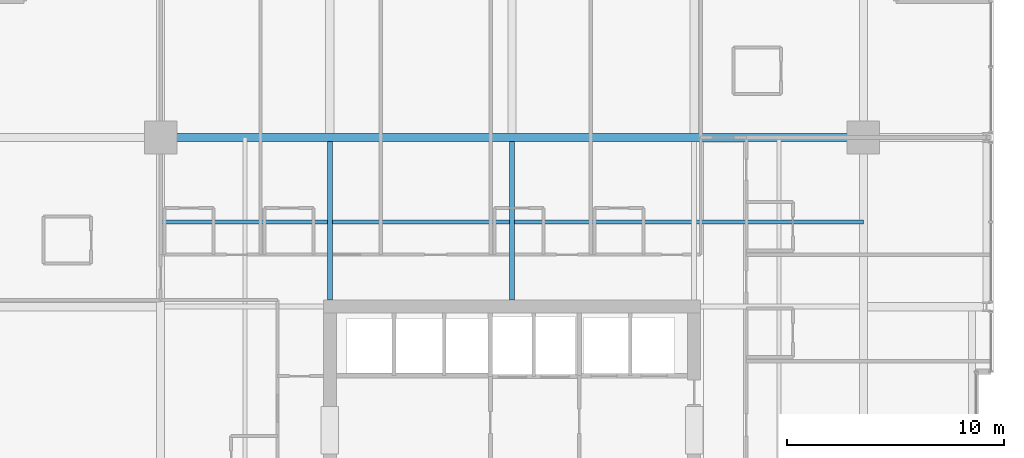
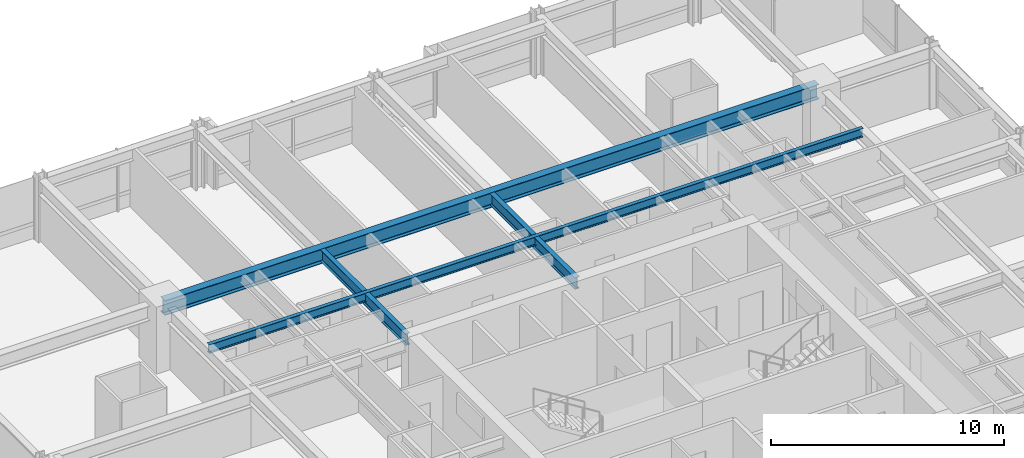
# One storey, part 19 of 34: 4 beams.
"""IFC4 building model written with IfcOpenShell, lengths in metres."""

import ifcopenshell
import ifcopenshell.guid

model = None  # the IFC model being written
_history = None  # IfcOwnerHistory: only IFC2X3 demands one
_inside = {}  # id of a spatial element -> (the spatial element, [elements in it])
_under = {}  # id of a project, library or spatial element -> (it, [spatial elements below it])
_declared = {}  # id of a project -> (the project, [libraries it declares])
_typed = {}  # id of a type object -> (the type object, [elements of that type])
_made_of = {}  # id of a material, layer set ... -> (it, [elements and type objects made of it])


def new_model(schema):
    """Start an empty IFC model of exactly this schema.

    Asked for "IFC4X3", IfcOpenShell would pick the latest addendum, in which some entities
    have other attributes; the version numbers below select the first issue.
    IFC2X3 requires an IfcOwnerHistory on every rooted entity: one is made here for all.
    """
    global model, _history
    if schema == "IFC4X3":
        model = ifcopenshell.file(schema_version=(4, 3, 0, 0))
    else:
        model = ifcopenshell.file(schema=schema)
    _inside.clear()
    _under.clear()
    _declared.clear()
    _typed.clear()
    _made_of.clear()
    _history = None
    if model.schema == "IFC2X3":
        org = make("IfcOrganization", Name="unknown")
        user = make(
            "IfcPersonAndOrganization",
            ThePerson=make("IfcPerson", FamilyName="unknown"),
            TheOrganization=org,
        )
        app = make(
            "IfcApplication",
            ApplicationDeveloper=org,
            Version="unknown",
            ApplicationFullName="unknown",
            ApplicationIdentifier="unknown",
        )
        _history = make(
            "IfcOwnerHistory",
            OwningUser=user,
            OwningApplication=app,
            ChangeAction="ADDED",
            CreationDate=0,
        )
    return model


def make(cls, **values):
    """One entity of the class cls with the attributes given. An attribute that is None is left unset."""
    return model.create_entity(
        cls, **{name: value for name, value in values.items() if value is not None}
    )


def rooted(cls, **values):
    """An entity with a GlobalId (a new one), such as an element, a storey or a relation."""
    return make(cls, GlobalId=ifcopenshell.guid.new(), OwnerHistory=_history, **values)


def si_unit(unit_type, name, prefix=None):
    """IfcSIUnit, for example si_unit("LENGTHUNIT", "METRE", prefix="MILLI")."""
    return make("IfcSIUnit", UnitType=unit_type, Prefix=prefix, Name=name)


def assignment(units):
    """IfcUnitAssignment: the units of a project."""
    return None if units is None else make("IfcUnitAssignment", Units=units)


def point(xyz):
    """IfcCartesianPoint."""
    return None if xyz is None else make("IfcCartesianPoint", Coordinates=xyz)


def direction(xyz):
    """IfcDirection."""
    return None if xyz is None else make("IfcDirection", DirectionRatios=xyz)


def frame(location, z_axis=None, x_axis=None):
    """IfcAxis2Placement3D, a coordinate frame: its origin and axes. An axis left out is left unset."""
    return make(
        "IfcAxis2Placement3D",
        Location=point(location),
        Axis=direction(z_axis),
        RefDirection=direction(x_axis),
    )


def frame_2d(location, x_axis=None):
    """IfcAxis2Placement2D, a coordinate frame in the plane: its origin and x axis."""
    return make(
        "IfcAxis2Placement2D", Location=point(location), RefDirection=direction(x_axis)
    )


def origin():
    """The frame at (0, 0, 0) with its axes left unset."""
    return frame((0.0, 0.0, 0.0))


def origin_2d():
    """The frame at (0, 0) in the plane with its x axis left unset."""
    return frame_2d((0.0, 0.0))


def place(relative_to, where):
    """IfcLocalPlacement: puts the frame where relative to a parent placement (None: the world)."""
    return make(
        "IfcLocalPlacement", PlacementRelTo=relative_to, RelativePlacement=where
    )


def context(
    kind, dimensions, precision=None, world=None, true_north=None, identifier=None
):
    """IfcGeometricRepresentationContext, for example the 3D "Model" context."""
    return make(
        "IfcGeometricRepresentationContext",
        ContextIdentifier=identifier,
        ContextType=kind,
        CoordinateSpaceDimension=dimensions,
        Precision=precision,
        WorldCoordinateSystem=world,
        TrueNorth=true_north,
    )


def subcontext(parent, identifier, kind, view, scale=None):
    """IfcGeometricRepresentationSubContext, for example "Body" below "Model"."""
    return make(
        "IfcGeometricRepresentationSubContext",
        ContextIdentifier=identifier,
        ContextType=kind,
        ParentContext=parent,
        TargetScale=scale,
        TargetView=view,
    )


def project(units=None, contexts=None):
    """IfcProject with its units and contexts."""
    return rooted(
        "IfcProject",
        Name="project",
        RepresentationContexts=contexts,
        UnitsInContext=assignment(units),
    )


def spatial(cls, under=None, at=None, **own):
    """A site, building, storey or space (cls), placed at a placement, below another one or the project."""
    s = rooted(cls, ObjectPlacement=at, **own)
    if under is not None:
        _under.setdefault(under.id(), (under, []))[1].append(s)
    return s


def profile(cls, at=None, kind="AREA", **sizes):
    """A parametric profile (cls). Its sizes go by their IFC names, for example OverallWidth=200.0."""
    return make(cls, ProfileType=kind, Position=at, **sizes)


def i_section(**sizes):
    """IfcIShapeProfileDef."""
    return profile("IfcIShapeProfileDef", **sizes)


def extrude(swept, where, along, depth):
    """IfcExtrudedAreaSolid: the profile swept, set in the frame where, extruded along a direction by depth."""
    return make(
        "IfcExtrudedAreaSolid",
        SweptArea=swept,
        Position=where,
        ExtrudedDirection=direction(along),
        Depth=depth,
    )


def shape(context_of_items, identifier, shape_type, items):
    """IfcShapeRepresentation: the items that make up one representation, for example the "Body"."""
    return make(
        "IfcShapeRepresentation",
        ContextOfItems=context_of_items,
        RepresentationIdentifier=identifier,
        RepresentationType=shape_type,
        Items=items,
    )


def material(Name=None, Category=None):
    """IfcMaterial."""
    return make("IfcMaterial", Name=Name, Category=Category)


def material_profile(
    of_material, cross_section, Name=None, Category=None, Priority=None
):
    """IfcMaterialProfile: a cross section and its material."""
    return make(
        "IfcMaterialProfile",
        Name=Name,
        Material=of_material,
        Profile=cross_section,
        Priority=Priority,
        Category=Category,
    )


def profile_set(profiles, Name=None, composite=None):
    """IfcMaterialProfileSet."""
    return make(
        "IfcMaterialProfileSet",
        Name=Name,
        MaterialProfiles=profiles,
        CompositeProfile=composite,
    )


def made_of(thing, what):
    """Note that an element or type object is made of a material, layer set ...; save() writes the relation."""
    if what is not None:
        _made_of.setdefault(what.id(), (what, []))[1].append(thing)
    return thing


def type_object(cls, material=None, **own):
    """A type object (cls), such as IfcWallType, which elements share."""
    return made_of(rooted(cls, **own), material)


def element(
    cls,
    number,
    at=None,
    inside=None,
    cuts=None,
    type_object=None,
    material=None,
    context=None,
    identifier="Body",
    shape_type=None,
    held_by="IfcProductDefinitionShape",
    body=None,
    shapes=None,
    **own,
):
    """One element of the class cls, such as IfcWall. Its Tag is "e" and its number.

    at: its placement. inside: the storey or other place that contains it. cuts: it is an
    opening in that element (IfcRelVoidsElement). A single representation is given by context,
    identifier, shape_type and body (its items); several are given by shapes. held_by: the class
    of the entity that holds the representations. save() writes the other relations.
    """
    e = rooted(cls, Tag="e%d" % number, ObjectPlacement=at, **own)
    if body is not None:
        shapes = [shape(context, identifier, shape_type, body)]
    if shapes is not None:
        e.Representation = make(held_by, Representations=shapes)
    if inside is not None:
        _inside.setdefault(inside.id(), (inside, []))[1].append(e)
    if cuts is not None:
        rooted(
            "IfcRelVoidsElement", RelatingBuildingElement=cuts, RelatedOpeningElement=e
        )
    if type_object is not None:
        _typed.setdefault(type_object.id(), (type_object, []))[1].append(e)
    return made_of(e, material)


def aggregate(whole, parts):
    """IfcRelAggregates: a whole, such as a stair, and the parts it consists of."""
    return rooted("IfcRelAggregates", RelatingObject=whole, RelatedObjects=parts)


def save(model, path):
    """Write the relations noted so far, then the file.

    IfcRelAggregates (storeys below a building ...), IfcRelContainedInSpatialStructure (elements
    in a storey), IfcRelDefinesByType, IfcRelAssociatesMaterial and IfcRelDeclares: one each for
    every whole, place, type object, material and project.
    """
    for whole, parts in _under.values():
        aggregate(whole, parts)
    for where, things in _inside.values():
        rooted(
            "IfcRelContainedInSpatialStructure",
            RelatedElements=things,
            RelatingStructure=where,
        )
    for kind, things in _typed.values():
        rooted("IfcRelDefinesByType", RelatedObjects=things, RelatingType=kind)
    for what, things in _made_of.values():
        rooted("IfcRelAssociatesMaterial", RelatedObjects=things, RelatingMaterial=what)
    for by, libraries in _declared.values():
        rooted("IfcRelDeclares", RelatingContext=by, RelatedDefinitions=libraries)
    model.write(path)


model = new_model("IFC4")

# Units and contexts
model_context = context("Model", 3, precision=1e-05, world=origin(), true_north=direction((0.0, 1.0)))
body_context = subcontext(model_context, "Body", "Model", "MODEL_VIEW")
ifc_project = project(units=[si_unit("LENGTHUNIT", "METRE"), si_unit("AREAUNIT", "SQUARE_METRE"), si_unit("VOLUMEUNIT", "CUBIC_METRE"), si_unit("PLANEANGLEUNIT", "RADIAN"), si_unit("MASSUNIT", "GRAM", prefix="KILO")], contexts=[model_context])

# Site, building, storey
site_placement = place(None, origin())
site = spatial("IfcSite", under=ifc_project, at=site_placement, CompositionType="ELEMENT")
building_placement = place(site_placement, origin())
building = spatial("IfcBuilding", under=site, at=building_placement, Name="Drelvath Grand Hotel", CompositionType="ELEMENT")
storey_placement = place(building_placement, frame((0.0, 0.0, 91.800048828125)))
storey = spatial("IfcBuildingStorey", under=building, at=storey_placement, Name="L22", CompositionType="ELEMENT", Elevation=91.800048828125)

# Beams
ifc_material = material(Name="Steel ASTM A992 Gr 50", Category="steel")
ifc_material_profile_1 = material_profile(ifc_material, i_section(OverallWidth=0.19140625, OverallDepth=0.4599609375, WebThickness=0.010009765625, FlangeThickness=0.01611328125, FilletRadius=0.01611328125, at=origin_2d()), Name="W18X55")
ifc_profile_set_1 = profile_set([ifc_material_profile_1], Name="Steel ASTM A992 Gr 50")
beam_type_1 = type_object("IfcBeamType", Name="Composite Floor Joist W18X55", PredefinedType="JOIST", material=ifc_profile_set_1)
beam_1_placement = place(storey_placement, frame((-16.199951171875, 39.300048828125, 3.010009765625), z_axis=(1.0, 0.0, 0.0), x_axis=(0.0, 1.0, 0.0)))
element("IfcBeam", 1, at=beam_1_placement, inside=storey, type_object=beam_type_1, Name="L22 Floor Joist J2", PredefinedType="JOIST", context=body_context, shape_type="SweptSolid", body=[
    extrude(i_section(OverallWidth=0.19140625, OverallDepth=0.4599609375, WebThickness=0.010009765625, FlangeThickness=0.01611328125, FilletRadius=0.01611328125, at=origin_2d()), origin(), (0.0, 0.0, 1.0), 32.39990234375),
])
ifc_material_profile_2 = material_profile(ifc_material, i_section(OverallWidth=0.228271484375, OverallDepth=0.607666015625, WebThickness=0.01123046875, FlangeThickness=0.017333984375, FilletRadius=0.02001953125, at=origin_2d()), Name="W24X76")
ifc_profile_set_2 = profile_set([ifc_material_profile_2], Name="Steel ASTM A992 Gr 50")
beam_type_2 = type_object("IfcBeamType", Name="Primary Floor Girder W24X76", PredefinedType="BEAM", material=ifc_profile_set_2)
for number, where, z_axis, x_axis, name in (
    (2, (-8.39990234375, 35.699951171875, 2.93603515625), (0.0, 1.0, 0.0), (-1.0, 0.0, 0.0), "L22 North Core Tie 4"),
    (3, (0.0, 35.699951171875, 2.93603515625), (0.0, 1.0, 0.0), (-1.0, 0.0, 0.0), "L22 North Core Tie 5"),
):
    element("IfcBeam", number, at=place(storey_placement, frame(where, z_axis=z_axis, x_axis=x_axis)), inside=storey, type_object=beam_type_2, Name=name, PredefinedType="BEAM", context=body_context, shape_type="SweptSolid", body=[
        extrude(i_section(OverallWidth=0.228271484375, OverallDepth=0.607666015625, WebThickness=0.01123046875, FlangeThickness=0.017333984375, FilletRadius=0.02001953125, at=origin_2d()), origin(), (0.0, 0.0, 1.0), 7.309814453125),
    ])
ifc_material_profile_3 = material_profile(ifc_material, i_section(OverallWidth=0.380615234375, OverallDepth=0.773193359375, WebThickness=0.0166015625, FlangeThickness=0.027099609375, FilletRadius=0.02490234375, at=origin_2d()), Name="W30X173")
ifc_profile_set_3 = profile_set([ifc_material_profile_3], Name="Steel ASTM A992 Gr 50")
beam_type_3 = type_object("IfcBeamType", Name="Primary Floor Girder W30X173", PredefinedType="BEAM", material=ifc_profile_set_3)
beam_2_placement = place(storey_placement, frame((-16.199951171875, 43.199951171875, 2.853271484375), z_axis=(1.0, 0.0, 0.0), x_axis=(0.0, 1.0, 0.0)))
element("IfcBeam", 4, at=beam_2_placement, inside=storey, type_object=beam_type_3, Name="L22 Mega Ring Girder North", PredefinedType="BEAM", context=body_context, shape_type="SweptSolid", body=[
    extrude(i_section(OverallWidth=0.380615234375, OverallDepth=0.773193359375, WebThickness=0.0166015625, FlangeThickness=0.027099609375, FilletRadius=0.02490234375, at=origin_2d()), origin(), (0.0, 0.0, 1.0), 32.39990234375),
])

save(model, "model.ifc")
